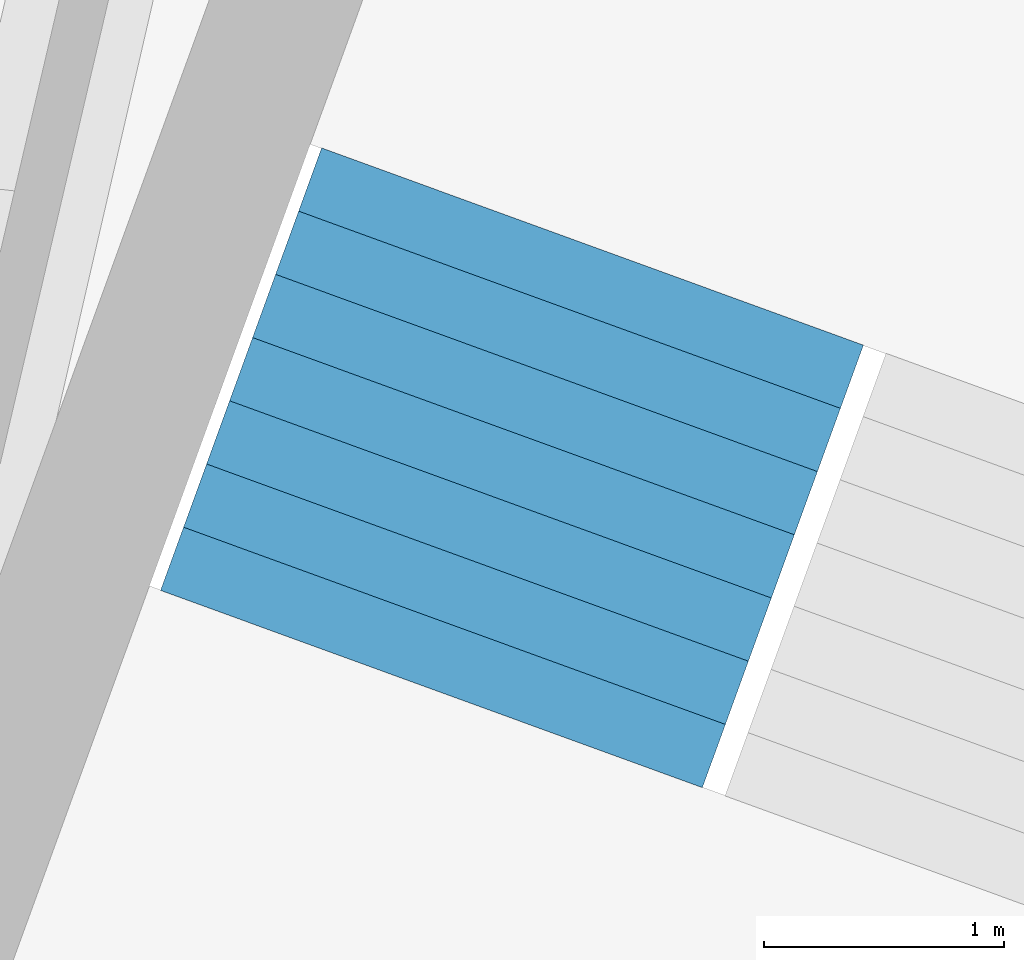
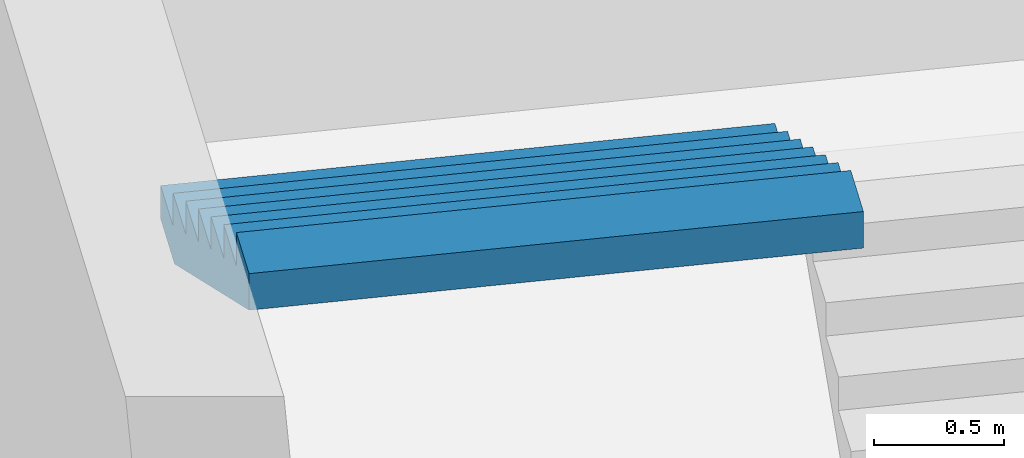
# One storey, part 46 of 73: 1 stair flight, 1 element without a shape of its own.
"""IFC4 building model written with IfcOpenShell, lengths in metres."""

from ifc_helpers import new_model, si_unit, direction, frame, origin, place, context, subcontext, project, spatial, triangles, material, type_object, element, aggregate, save


model = new_model("IFC4")

# Units and contexts
model_context = context("Model", 3, precision=1e-05, world=origin(), true_north=direction((0.0, 1.0)))
body_context = subcontext(model_context, "Body", "Model", "MODEL_VIEW")
ifc_project = project(units=[si_unit("LENGTHUNIT", "METRE"), si_unit("AREAUNIT", "SQUARE_METRE"), si_unit("VOLUMEUNIT", "CUBIC_METRE"), si_unit("PLANEANGLEUNIT", "RADIAN"), si_unit("MASSUNIT", "GRAM", prefix="KILO")], contexts=[model_context])

# Site, building, storey
site_placement = place(None, origin())
site = spatial("IfcSite", under=ifc_project, at=site_placement, CompositionType="ELEMENT")
building_placement = place(site_placement, origin())
building = spatial("IfcBuilding", under=site, at=building_placement, Name="Lantaw Convention Tower", CompositionType="ELEMENT")
storey_placement = place(building_placement, frame((0.0, 0.0, 22.0)))
storey = spatial("IfcBuildingStorey", under=building, at=storey_placement, Name="L03", CompositionType="ELEMENT", Elevation=22.0)

# Stair, stair flight
ifc_material = material(Name="Concrete C35/45", Category="concrete")
stair_type = type_object("IfcStairType", Name="Exit stair 2400 riser 156.25 in 4 flights", PredefinedType="HALF_TURN_STAIR", material=ifc_material)
stair_placement = place(storey_placement, origin())
stair = element("IfcStair", 1, at=stair_placement, inside=storey, type_object=stair_type, Name="Podium exit stair P5 L03", PredefinedType="HALF_TURN_STAIR")
stair_flight_type = type_object("IfcStairFlightType", Name="Stair flight 2400 riser 156.25", PredefinedType="STRAIGHT", material=ifc_material)
stair_flight_placement = place(storey_placement, frame((8.79736328125, 27.825439453125, 3.75), z_axis=(0.0, 0.0, 1.0), x_axis=(-0.342020143326, -0.939692620786, 0.0)))
stair_flight = element("IfcStairFlight", 2, at=stair_flight_placement, type_object=stair_flight_type, Name="P5 flight 4", NumberOfRisers=8, NumberOfTreads=7, PredefinedType="STRAIGHT", RiserHeight=0.15625, TreadLength=0.28, context=body_context, shape_type="Tessellation", body=[
    triangles([(0.0, 1.199951171875, 0.0), (0.0, 1.199951171875, 0.15625), (0.28, 1.199951171875, 0.0), (0.28, 1.199951171875, 0.15625), (0.28, 1.199951171875, 0.3125), (0.3076200632058044, 1.199951171875, 0.0), (0.3076200632058044, 1.199951171875, 0.3125), (0.56, 1.199951171875, 0.14083701830033238), (0.56, 1.199951171875, 0.3125), (0.56, 1.199951171875, 0.46875), (0.8400000000000001, 1.199951171875, 0.29708701830033235), (0.8400000000000001, 1.199951171875, 0.46875), (0.8400000000000001, 1.199951171875, 0.625), (1.12, 1.199951171875, 0.45333701830033235), (1.12, 1.199951171875, 0.625), (1.12, 1.199951171875, 0.78125), (1.4000000000000001, 1.199951171875, 0.6095870183003324), (1.4000000000000001, 1.199951171875, 0.78125), (1.4000000000000001, 1.199951171875, 0.9375), (1.6800000000000002, 1.199951171875, 0.7658370183003324), (1.6800000000000002, 1.199951171875, 0.9375), (1.6800000000000002, 1.199951171875, 1.09375), (1.9600000000000002, 1.199951171875, 0.9220870183003324), (1.9600000000000002, 1.199951171875, 1.09375), (0.0, -1.199951171875, 0.0), (0.0, -1.199951171875, 0.15625), (0.28, -1.199951171875, 0.0), (0.28, -1.199951171875, 0.15625), (0.28, -1.199951171875, 0.3125), (0.3076200632058044, -1.199951171875, 0.0), (0.3076200632058044, -1.199951171875, 0.3125), (0.56, -1.199951171875, 0.14083701830033238), (0.56, -1.199951171875, 0.3125), (0.56, -1.199951171875, 0.46875), (0.8400000000000001, -1.199951171875, 0.29708701830033235), (0.8400000000000001, -1.199951171875, 0.46875), (0.8400000000000001, -1.199951171875, 0.625), (1.12, -1.199951171875, 0.45333701830033235), (1.12, -1.199951171875, 0.625), (1.12, -1.199951171875, 0.78125), (1.4000000000000001, -1.199951171875, 0.6095870183003324), (1.4000000000000001, -1.199951171875, 0.78125), (1.4000000000000001, -1.199951171875, 0.9375), (1.6800000000000002, -1.199951171875, 0.7658370183003324), (1.6800000000000002, -1.199951171875, 0.9375), (1.6800000000000002, -1.199951171875, 1.09375), (1.9600000000000002, -1.199951171875, 0.9220870183003324), (1.9600000000000002, -1.199951171875, 1.09375), (0.0, 0.239990234375, 0.15625), (0.0, 0.239990234375, 0.0), (0.0, 0.1919921875, 0.15625), (0.0, 0.1919921875, 0.0), (0.0, 0.143994140625, 0.15625), (0.0, 0.143994140625, 0.0), (0.0, 0.09599609375, 0.15625), (0.0, 0.09599609375, 0.0), (0.0, 0.047998046875, 0.15625), (0.0, 0.047998046875, 0.0), (0.0, 0.0, 0.15625), (0.0, 0.0, 0.0), (0.0, -0.047998046875, 0.15625), (0.0, -0.047998046875, 0.0), (0.0, -0.09599609375, 0.15625), (0.0, -0.09599609375, 0.0), (0.0, -0.143994140625, 0.15625), (0.0, -0.143994140625, 0.0), (0.0, -0.1919921875, 0.15625), (0.0, -0.1919921875, 0.0), (0.0, -0.239990234375, 0.15625), (0.0, -0.239990234375, 0.0), (0.28, 0.239990234375, 0.3125), (0.28, 0.239990234375, 0.15625), (0.28, 0.1919921875, 0.3125), (0.28, 0.1919921875, 0.15625), (0.28, 0.143994140625, 0.3125), (0.28, 0.143994140625, 0.15625), (0.28, 0.09599609375, 0.3125), (0.28, 0.09599609375, 0.15625), (0.28, 0.047998046875, 0.3125), (0.28, 0.047998046875, 0.15625), (0.28, 0.0, 0.3125), (0.28, 0.0, 0.15625), (0.28, -0.047998046875, 0.3125), (0.28, -0.047998046875, 0.15625), (0.28, -0.09599609375, 0.3125), (0.28, -0.09599609375, 0.15625), (0.28, -0.143994140625, 0.3125), (0.28, -0.143994140625, 0.15625), (0.28, -0.1919921875, 0.3125), (0.28, -0.1919921875, 0.15625), (0.28, -0.239990234375, 0.3125), (0.28, -0.239990234375, 0.15625), (0.56, 0.239990234375, 0.46875), (0.56, 0.239990234375, 0.3125), (0.56, 0.1919921875, 0.46875), (0.56, 0.1919921875, 0.3125), (0.56, 0.143994140625, 0.46875), (0.56, 0.143994140625, 0.3125), (0.56, 0.09599609375, 0.46875), (0.56, 0.09599609375, 0.3125), (0.56, 0.047998046875, 0.46875), (0.56, 0.047998046875, 0.3125), (0.56, 0.0, 0.46875), (0.56, 0.0, 0.3125), (0.56, -0.047998046875, 0.46875), (0.56, -0.047998046875, 0.3125), (0.56, -0.09599609375, 0.46875), (0.56, -0.09599609375, 0.3125), (0.56, -0.143994140625, 0.46875), (0.56, -0.143994140625, 0.3125), (0.56, -0.1919921875, 0.46875), (0.56, -0.1919921875, 0.3125), (0.56, -0.239990234375, 0.46875), (0.56, -0.239990234375, 0.3125), (0.8400000000000001, 0.239990234375, 0.625), (0.8400000000000001, 0.239990234375, 0.46875), (0.8400000000000001, 0.1919921875, 0.625), (0.8400000000000001, 0.1919921875, 0.46875), (0.8400000000000001, 0.143994140625, 0.625), (0.8400000000000001, 0.143994140625, 0.46875), (0.8400000000000001, 0.09599609375, 0.625), (0.8400000000000001, 0.09599609375, 0.46875), (0.8400000000000001, 0.047998046875, 0.625), (0.8400000000000001, 0.047998046875, 0.46875), (0.8400000000000001, 0.0, 0.625), (0.8400000000000001, 0.0, 0.46875), (0.8400000000000001, -0.047998046875, 0.625), (0.8400000000000001, -0.047998046875, 0.46875), (0.8400000000000001, -0.09599609375, 0.625), (0.8400000000000001, -0.09599609375, 0.46875), (0.8400000000000001, -0.143994140625, 0.625), (0.8400000000000001, -0.143994140625, 0.46875), (0.8400000000000001, -0.1919921875, 0.625), (0.8400000000000001, -0.1919921875, 0.46875), (0.8400000000000001, -0.239990234375, 0.625), (0.8400000000000001, -0.239990234375, 0.46875), (1.12, 0.239990234375, 0.78125), (1.12, 0.239990234375, 0.625), (1.12, 0.1919921875, 0.78125), (1.12, 0.1919921875, 0.625), (1.12, 0.143994140625, 0.78125), (1.12, 0.143994140625, 0.625), (1.12, 0.09599609375, 0.78125), (1.12, 0.09599609375, 0.625), (1.12, 0.047998046875, 0.78125), (1.12, 0.047998046875, 0.625), (1.12, 0.0, 0.78125), (1.12, 0.0, 0.625), (1.12, -0.047998046875, 0.78125), (1.12, -0.047998046875, 0.625), (1.12, -0.09599609375, 0.78125), (1.12, -0.09599609375, 0.625), (1.12, -0.143994140625, 0.78125), (1.12, -0.143994140625, 0.625), (1.12, -0.1919921875, 0.78125), (1.12, -0.1919921875, 0.625), (1.12, -0.239990234375, 0.78125), (1.12, -0.239990234375, 0.625), (1.4000000000000001, 0.239990234375, 0.9375), (1.4000000000000001, 0.239990234375, 0.78125), (1.4000000000000001, 0.1919921875, 0.9375), (1.4000000000000001, 0.1919921875, 0.78125), (1.4000000000000001, 0.143994140625, 0.9375), (1.4000000000000001, 0.143994140625, 0.78125), (1.4000000000000001, 0.09599609375, 0.9375), (1.4000000000000001, 0.09599609375, 0.78125), (1.4000000000000001, 0.047998046875, 0.9375), (1.4000000000000001, 0.047998046875, 0.78125), (1.4000000000000001, 0.0, 0.9375), (1.4000000000000001, 0.0, 0.78125), (1.4000000000000001, -0.047998046875, 0.9375), (1.4000000000000001, -0.047998046875, 0.78125), (1.4000000000000001, -0.09599609375, 0.9375), (1.4000000000000001, -0.09599609375, 0.78125), (1.4000000000000001, -0.143994140625, 0.9375), (1.4000000000000001, -0.143994140625, 0.78125), (1.4000000000000001, -0.1919921875, 0.9375), (1.4000000000000001, -0.1919921875, 0.78125), (1.4000000000000001, -0.239990234375, 0.9375), (1.4000000000000001, -0.239990234375, 0.78125), (1.6800000000000002, 0.239990234375, 1.09375), (1.6800000000000002, 0.239990234375, 0.9375), (1.6800000000000002, 0.1919921875, 1.09375), (1.6800000000000002, 0.1919921875, 0.9375), (1.6800000000000002, 0.143994140625, 1.09375), (1.6800000000000002, 0.143994140625, 0.9375), (1.6800000000000002, 0.09599609375, 1.09375), (1.6800000000000002, 0.09599609375, 0.9375), (1.6800000000000002, 0.047998046875, 1.09375), (1.6800000000000002, 0.047998046875, 0.9375), (1.6800000000000002, 0.0, 1.09375), (1.6800000000000002, 0.0, 0.9375), (1.6800000000000002, -0.047998046875, 1.09375), (1.6800000000000002, -0.047998046875, 0.9375), (1.6800000000000002, -0.09599609375, 1.09375), (1.6800000000000002, -0.09599609375, 0.9375), (1.6800000000000002, -0.143994140625, 1.09375), (1.6800000000000002, -0.143994140625, 0.9375), (1.6800000000000002, -0.1919921875, 1.09375), (1.6800000000000002, -0.1919921875, 0.9375), (1.6800000000000002, -0.239990234375, 1.09375), (1.6800000000000002, -0.239990234375, 0.9375), (0.3076200632058044, 0.239990234375, 0.3125), (0.3076200632058044, 0.1919921875, 0.3125), (0.3076200632058044, 0.143994140625, 0.3125), (0.3076200632058044, 0.09599609375, 0.3125), (0.3076200632058044, 0.047998046875, 0.3125), (0.3076200632058044, 0.0, 0.3125), (0.3076200632058044, -0.047998046875, 0.3125), (0.3076200632058044, -0.09599609375, 0.3125), (0.3076200632058044, -0.143994140625, 0.3125), (0.3076200632058044, -0.1919921875, 0.3125), (0.3076200632058044, -0.239990234375, 0.3125), (1.9600000000000002, 0.239990234375, 1.09375), (1.9600000000000002, 0.1919921875, 1.09375), (1.9600000000000002, 0.143994140625, 1.09375), (1.9600000000000002, 0.09599609375, 1.09375), (1.9600000000000002, 0.047998046875, 1.09375), (1.9600000000000002, 0.0, 1.09375), (1.9600000000000002, -0.047998046875, 1.09375), (1.9600000000000002, -0.09599609375, 1.09375), (1.9600000000000002, -0.143994140625, 1.09375), (1.9600000000000002, -0.1919921875, 1.09375), (1.9600000000000002, -0.239990234375, 1.09375), (1.9600000000000002, 0.239990234375, 0.9220870183003324), (1.9600000000000002, 0.1919921875, 0.9220870183003324), (1.9600000000000002, 0.143994140625, 0.9220870183003324), (1.9600000000000002, 0.09599609375, 0.9220870183003324), (1.9600000000000002, 0.047998046875, 0.9220870183003324), (1.9600000000000002, 0.0, 0.9220870183003324), (1.9600000000000002, -0.047998046875, 0.9220870183003324), (1.9600000000000002, -0.09599609375, 0.9220870183003324), (1.9600000000000002, -0.143994140625, 0.9220870183003324), (1.9600000000000002, -0.1919921875, 0.9220870183003324), (1.9600000000000002, -0.239990234375, 0.9220870183003324), (1.6800000000000002, 0.239990234375, 0.7658370183003324), (1.6800000000000002, 0.1919921875, 0.7658370183003324), (1.6800000000000002, 0.143994140625, 0.7658370183003324), (1.6800000000000002, 0.09599609375, 0.7658370183003324), (1.6800000000000002, 0.047998046875, 0.7658370183003324), (1.6800000000000002, 0.0, 0.7658370183003324), (1.6800000000000002, -0.047998046875, 0.7658370183003324), (1.6800000000000002, -0.09599609375, 0.7658370183003324), (1.6800000000000002, -0.143994140625, 0.7658370183003324), (1.6800000000000002, -0.1919921875, 0.7658370183003324), (1.6800000000000002, -0.239990234375, 0.7658370183003324), (1.4000000000000001, 0.239990234375, 0.6095870183003324), (1.4000000000000001, 0.1919921875, 0.6095870183003324), (1.4000000000000001, 0.143994140625, 0.6095870183003324), (1.4000000000000001, 0.09599609375, 0.6095870183003324), (1.4000000000000001, 0.047998046875, 0.6095870183003324), (1.4000000000000001, 0.0, 0.6095870183003324), (1.4000000000000001, -0.047998046875, 0.6095870183003324), (1.4000000000000001, -0.09599609375, 0.6095870183003324), (1.4000000000000001, -0.143994140625, 0.6095870183003324), (1.4000000000000001, -0.1919921875, 0.6095870183003324), (1.4000000000000001, -0.239990234375, 0.6095870183003324), (1.12, 0.239990234375, 0.45333701830033235), (1.12, 0.1919921875, 0.45333701830033235), (1.12, 0.143994140625, 0.45333701830033235), (1.12, 0.09599609375, 0.45333701830033235), (1.12, 0.047998046875, 0.45333701830033235), (1.12, 0.0, 0.45333701830033235), (1.12, -0.047998046875, 0.45333701830033235), (1.12, -0.09599609375, 0.45333701830033235), (1.12, -0.143994140625, 0.45333701830033235), (1.12, -0.1919921875, 0.45333701830033235), (1.12, -0.239990234375, 0.45333701830033235), (0.8400000000000001, 0.239990234375, 0.29708701830033235), (0.8400000000000001, 0.1919921875, 0.29708701830033235), (0.8400000000000001, 0.143994140625, 0.29708701830033235), (0.8400000000000001, 0.09599609375, 0.29708701830033235), (0.8400000000000001, 0.047998046875, 0.29708701830033235), (0.8400000000000001, 0.0, 0.29708701830033235), (0.8400000000000001, -0.047998046875, 0.29708701830033235), (0.8400000000000001, -0.09599609375, 0.29708701830033235), (0.8400000000000001, -0.143994140625, 0.29708701830033235), (0.8400000000000001, -0.1919921875, 0.29708701830033235), (0.8400000000000001, -0.239990234375, 0.29708701830033235), (0.56, 0.239990234375, 0.14083701830033238), (0.56, 0.1919921875, 0.14083701830033238), (0.56, 0.143994140625, 0.14083701830033238), (0.56, 0.09599609375, 0.14083701830033238), (0.56, 0.047998046875, 0.14083701830033238), (0.56, 0.0, 0.14083701830033238), (0.56, -0.047998046875, 0.14083701830033238), (0.56, -0.09599609375, 0.14083701830033238), (0.56, -0.143994140625, 0.14083701830033238), (0.56, -0.1919921875, 0.14083701830033238), (0.56, -0.239990234375, 0.14083701830033238), (0.3076200632058044, 0.239990234375, 0.0), (0.3076200632058044, 0.1919921875, 0.0), (0.3076200632058044, 0.143994140625, 0.0), (0.3076200632058044, 0.09599609375, 0.0), (0.3076200632058044, 0.047998046875, 0.0), (0.3076200632058044, 0.0, 0.0), (0.3076200632058044, -0.047998046875, 0.0), (0.3076200632058044, -0.09599609375, 0.0), (0.3076200632058044, -0.143994140625, 0.0), (0.3076200632058044, -0.1919921875, 0.0), (0.3076200632058044, -0.239990234375, 0.0), (0.28, 0.239990234375, 0.0), (0.28, 0.1919921875, 0.0), (0.28, 0.143994140625, 0.0), (0.28, 0.09599609375, 0.0), (0.28, 0.047998046875, 0.0), (0.28, 0.0, 0.0), (0.28, -0.047998046875, 0.0), (0.28, -0.09599609375, 0.0), (0.28, -0.143994140625, 0.0), (0.28, -0.1919921875, 0.0), (0.28, -0.239990234375, 0.0)], [[1, 4, 3], [1, 2, 4], [3, 4, 6], [4, 7, 6], [4, 5, 7], [6, 9, 8], [6, 7, 9], [8, 9, 11], [9, 12, 11], [9, 10, 12], [11, 12, 14], [12, 15, 14], [12, 13, 15], [14, 15, 17], [15, 18, 17], [15, 16, 18], [17, 18, 20], [18, 21, 20], [18, 19, 21], [20, 21, 23], [21, 24, 23], [21, 22, 24], [25, 27, 28], [25, 28, 26], [27, 30, 28], [28, 30, 31], [28, 31, 29], [30, 32, 33], [30, 33, 31], [32, 35, 33], [33, 35, 36], [33, 36, 34], [35, 38, 36], [36, 38, 39], [36, 39, 37], [38, 41, 39], [39, 41, 42], [39, 42, 40], [41, 44, 42], [42, 44, 45], [42, 45, 43], [44, 47, 45], [45, 47, 48], [45, 48, 46], [1, 49, 2], [1, 50, 49], [50, 51, 49], [50, 52, 51], [52, 53, 51], [52, 54, 53], [54, 55, 53], [54, 56, 55], [56, 57, 55], [56, 58, 57], [58, 59, 57], [58, 60, 59], [60, 61, 59], [60, 62, 61], [62, 63, 61], [62, 64, 63], [64, 65, 63], [64, 66, 65], [66, 67, 65], [66, 68, 67], [68, 69, 67], [68, 70, 69], [70, 26, 69], [70, 25, 26], [4, 71, 5], [4, 72, 71], [72, 73, 71], [72, 74, 73], [74, 75, 73], [74, 76, 75], [76, 77, 75], [76, 78, 77], [78, 79, 77], [78, 80, 79], [80, 81, 79], [80, 82, 81], [82, 83, 81], [82, 84, 83], [84, 85, 83], [84, 86, 85], [86, 87, 85], [86, 88, 87], [88, 89, 87], [88, 90, 89], [90, 91, 89], [90, 92, 91], [92, 29, 91], [92, 28, 29], [9, 93, 10], [9, 94, 93], [94, 95, 93], [94, 96, 95], [96, 97, 95], [96, 98, 97], [98, 99, 97], [98, 100, 99], [100, 101, 99], [100, 102, 101], [102, 103, 101], [102, 104, 103], [104, 105, 103], [104, 106, 105], [106, 107, 105], [106, 108, 107], [108, 109, 107], [108, 110, 109], [110, 111, 109], [110, 112, 111], [112, 113, 111], [112, 114, 113], [114, 34, 113], [114, 33, 34], [12, 115, 13], [12, 116, 115], [116, 117, 115], [116, 118, 117], [118, 119, 117], [118, 120, 119], [120, 121, 119], [120, 122, 121], [122, 123, 121], [122, 124, 123], [124, 125, 123], [124, 126, 125], [126, 127, 125], [126, 128, 127], [128, 129, 127], [128, 130, 129], [130, 131, 129], [130, 132, 131], [132, 133, 131], [132, 134, 133], [134, 135, 133], [134, 136, 135], [136, 37, 135], [136, 36, 37], [15, 137, 16], [15, 138, 137], [138, 139, 137], [138, 140, 139], [140, 141, 139], [140, 142, 141], [142, 143, 141], [142, 144, 143], [144, 145, 143], [144, 146, 145], [146, 147, 145], [146, 148, 147], [148, 149, 147], [148, 150, 149], [150, 151, 149], [150, 152, 151], [152, 153, 151], [152, 154, 153], [154, 155, 153], [154, 156, 155], [156, 157, 155], [156, 158, 157], [158, 40, 157], [158, 39, 40], [18, 159, 19], [18, 160, 159], [160, 161, 159], [160, 162, 161], [162, 163, 161], [162, 164, 163], [164, 165, 163], [164, 166, 165], [166, 167, 165], [166, 168, 167], [168, 169, 167], [168, 170, 169], [170, 171, 169], [170, 172, 171], [172, 173, 171], [172, 174, 173], [174, 175, 173], [174, 176, 175], [176, 177, 175], [176, 178, 177], [178, 179, 177], [178, 180, 179], [180, 43, 179], [180, 42, 43], [21, 181, 22], [21, 182, 181], [182, 183, 181], [182, 184, 183], [184, 185, 183], [184, 186, 185], [186, 187, 185], [186, 188, 187], [188, 189, 187], [188, 190, 189], [190, 191, 189], [190, 192, 191], [192, 193, 191], [192, 194, 193], [194, 195, 193], [194, 196, 195], [196, 197, 195], [196, 198, 197], [198, 199, 197], [198, 200, 199], [200, 201, 199], [200, 202, 201], [202, 46, 201], [202, 45, 46], [2, 72, 4], [2, 49, 72], [49, 74, 72], [49, 51, 74], [51, 76, 74], [51, 53, 76], [53, 78, 76], [53, 55, 78], [55, 80, 78], [55, 57, 80], [57, 82, 80], [57, 59, 82], [59, 84, 82], [59, 61, 84], [61, 86, 84], [61, 63, 86], [63, 88, 86], [63, 65, 88], [65, 90, 88], [65, 67, 90], [67, 92, 90], [67, 69, 92], [69, 28, 92], [69, 26, 28], [5, 203, 7], [5, 71, 203], [71, 204, 203], [71, 73, 204], [73, 205, 204], [73, 75, 205], [75, 206, 205], [75, 77, 206], [77, 207, 206], [77, 79, 207], [79, 208, 207], [79, 81, 208], [81, 209, 208], [81, 83, 209], [83, 210, 209], [83, 85, 210], [85, 211, 210], [85, 87, 211], [87, 212, 211], [87, 89, 212], [89, 213, 212], [89, 91, 213], [91, 31, 213], [91, 29, 31], [7, 94, 9], [7, 203, 94], [203, 96, 94], [203, 204, 96], [204, 98, 96], [204, 205, 98], [205, 100, 98], [205, 206, 100], [206, 102, 100], [206, 207, 102], [207, 104, 102], [207, 208, 104], [208, 106, 104], [208, 209, 106], [209, 108, 106], [209, 210, 108], [210, 110, 108], [210, 211, 110], [211, 112, 110], [211, 212, 112], [212, 114, 112], [212, 213, 114], [213, 33, 114], [213, 31, 33], [10, 116, 12], [10, 93, 116], [93, 118, 116], [93, 95, 118], [95, 120, 118], [95, 97, 120], [97, 122, 120], [97, 99, 122], [99, 124, 122], [99, 101, 124], [101, 126, 124], [101, 103, 126], [103, 128, 126], [103, 105, 128], [105, 130, 128], [105, 107, 130], [107, 132, 130], [107, 109, 132], [109, 134, 132], [109, 111, 134], [111, 136, 134], [111, 113, 136], [113, 36, 136], [113, 34, 36], [13, 138, 15], [13, 115, 138], [115, 140, 138], [115, 117, 140], [117, 142, 140], [117, 119, 142], [119, 144, 142], [119, 121, 144], [121, 146, 144], [121, 123, 146], [123, 148, 146], [123, 125, 148], [125, 150, 148], [125, 127, 150], [127, 152, 150], [127, 129, 152], [129, 154, 152], [129, 131, 154], [131, 156, 154], [131, 133, 156], [133, 158, 156], [133, 135, 158], [135, 39, 158], [135, 37, 39], [16, 160, 18], [16, 137, 160], [137, 162, 160], [137, 139, 162], [139, 164, 162], [139, 141, 164], [141, 166, 164], [141, 143, 166], [143, 168, 166], [143, 145, 168], [145, 170, 168], [145, 147, 170], [147, 172, 170], [147, 149, 172], [149, 174, 172], [149, 151, 174], [151, 176, 174], [151, 153, 176], [153, 178, 176], [153, 155, 178], [155, 180, 178], [155, 157, 180], [157, 42, 180], [157, 40, 42], [19, 182, 21], [19, 159, 182], [159, 184, 182], [159, 161, 184], [161, 186, 184], [161, 163, 186], [163, 188, 186], [163, 165, 188], [165, 190, 188], [165, 167, 190], [167, 192, 190], [167, 169, 192], [169, 194, 192], [169, 171, 194], [171, 196, 194], [171, 173, 196], [173, 198, 196], [173, 175, 198], [175, 200, 198], [175, 177, 200], [177, 202, 200], [177, 179, 202], [179, 45, 202], [179, 43, 45], [22, 214, 24], [22, 181, 214], [181, 215, 214], [181, 183, 215], [183, 216, 215], [183, 185, 216], [185, 217, 216], [185, 187, 217], [187, 218, 217], [187, 189, 218], [189, 219, 218], [189, 191, 219], [191, 220, 219], [191, 193, 220], [193, 221, 220], [193, 195, 221], [195, 222, 221], [195, 197, 222], [197, 223, 222], [197, 199, 223], [199, 224, 223], [199, 201, 224], [201, 48, 224], [201, 46, 48], [24, 225, 23], [24, 214, 225], [214, 226, 225], [214, 215, 226], [215, 227, 226], [215, 216, 227], [216, 228, 227], [216, 217, 228], [217, 229, 228], [217, 218, 229], [218, 230, 229], [218, 219, 230], [219, 231, 230], [219, 220, 231], [220, 232, 231], [220, 221, 232], [221, 233, 232], [221, 222, 233], [222, 234, 233], [222, 223, 234], [223, 235, 234], [223, 224, 235], [224, 47, 235], [224, 48, 47], [23, 236, 20], [23, 225, 236], [225, 237, 236], [225, 226, 237], [226, 238, 237], [226, 227, 238], [227, 239, 238], [227, 228, 239], [228, 240, 239], [228, 229, 240], [229, 241, 240], [229, 230, 241], [230, 242, 241], [230, 231, 242], [231, 243, 242], [231, 232, 243], [232, 244, 243], [232, 233, 244], [233, 245, 244], [233, 234, 245], [234, 246, 245], [234, 235, 246], [235, 44, 246], [235, 47, 44], [20, 247, 17], [20, 236, 247], [236, 248, 247], [236, 237, 248], [237, 249, 248], [237, 238, 249], [238, 250, 249], [238, 239, 250], [239, 251, 250], [239, 240, 251], [240, 252, 251], [240, 241, 252], [241, 253, 252], [241, 242, 253], [242, 254, 253], [242, 243, 254], [243, 255, 254], [243, 244, 255], [244, 256, 255], [244, 245, 256], [245, 257, 256], [245, 246, 257], [246, 41, 257], [246, 44, 41], [17, 258, 14], [17, 247, 258], [247, 259, 258], [247, 248, 259], [248, 260, 259], [248, 249, 260], [249, 261, 260], [249, 250, 261], [250, 262, 261], [250, 251, 262], [251, 263, 262], [251, 252, 263], [252, 264, 263], [252, 253, 264], [253, 265, 264], [253, 254, 265], [254, 266, 265], [254, 255, 266], [255, 267, 266], [255, 256, 267], [256, 268, 267], [256, 257, 268], [257, 38, 268], [257, 41, 38], [14, 269, 11], [14, 258, 269], [258, 270, 269], [258, 259, 270], [259, 271, 270], [259, 260, 271], [260, 272, 271], [260, 261, 272], [261, 273, 272], [261, 262, 273], [262, 274, 273], [262, 263, 274], [263, 275, 274], [263, 264, 275], [264, 276, 275], [264, 265, 276], [265, 277, 276], [265, 266, 277], [266, 278, 277], [266, 267, 278], [267, 279, 278], [267, 268, 279], [268, 35, 279], [268, 38, 35], [11, 280, 8], [11, 269, 280], [269, 281, 280], [269, 270, 281], [270, 282, 281], [270, 271, 282], [271, 283, 282], [271, 272, 283], [272, 284, 283], [272, 273, 284], [273, 285, 284], [273, 274, 285], [274, 286, 285], [274, 275, 286], [275, 287, 286], [275, 276, 287], [276, 288, 287], [276, 277, 288], [277, 289, 288], [277, 278, 289], [278, 290, 289], [278, 279, 290], [279, 32, 290], [279, 35, 32], [8, 291, 6], [8, 280, 291], [280, 292, 291], [280, 281, 292], [281, 293, 292], [281, 282, 293], [282, 294, 293], [282, 283, 294], [283, 295, 294], [283, 284, 295], [284, 296, 295], [284, 285, 296], [285, 297, 296], [285, 286, 297], [286, 298, 297], [286, 287, 298], [287, 299, 298], [287, 288, 299], [288, 300, 299], [288, 289, 300], [289, 301, 300], [289, 290, 301], [290, 30, 301], [290, 32, 30], [6, 302, 3], [6, 291, 302], [291, 303, 302], [291, 292, 303], [292, 304, 303], [292, 293, 304], [293, 305, 304], [293, 294, 305], [294, 306, 305], [294, 295, 306], [295, 307, 306], [295, 296, 307], [296, 308, 307], [296, 297, 308], [297, 309, 308], [297, 298, 309], [298, 310, 309], [298, 299, 310], [299, 311, 310], [299, 300, 311], [300, 312, 311], [300, 301, 312], [301, 27, 312], [301, 30, 27], [3, 50, 1], [3, 302, 50], [302, 52, 50], [302, 303, 52], [303, 54, 52], [303, 304, 54], [304, 56, 54], [304, 305, 56], [305, 58, 56], [305, 306, 58], [306, 60, 58], [306, 307, 60], [307, 62, 60], [307, 308, 62], [308, 64, 62], [308, 309, 64], [309, 66, 64], [309, 310, 66], [310, 68, 66], [310, 311, 68], [311, 70, 68], [311, 312, 70], [312, 25, 70], [312, 27, 25]], closed=True),
])
aggregate(stair, [stair_flight])

save(model, "model.ifc")
